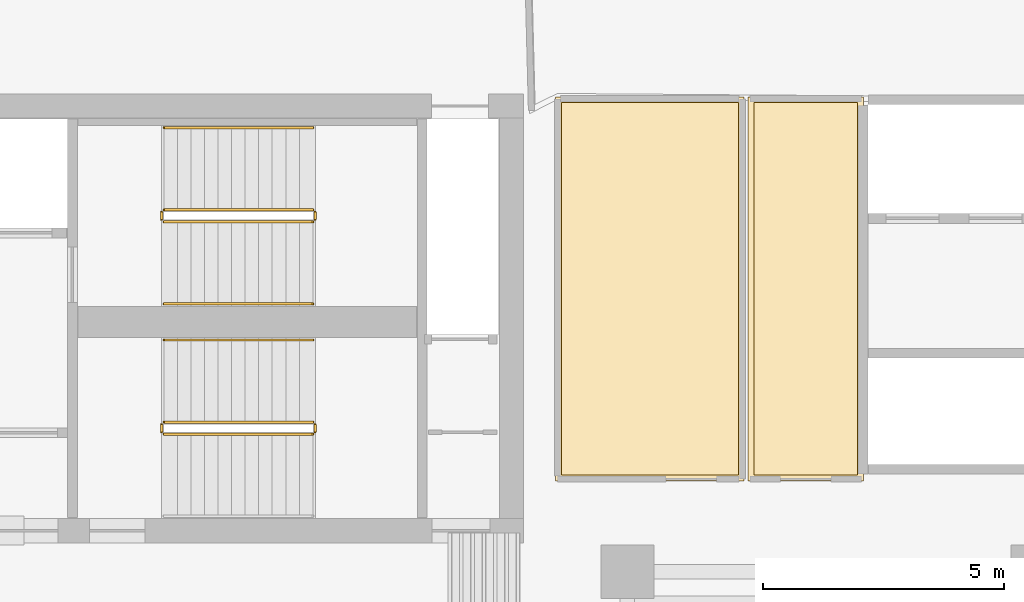
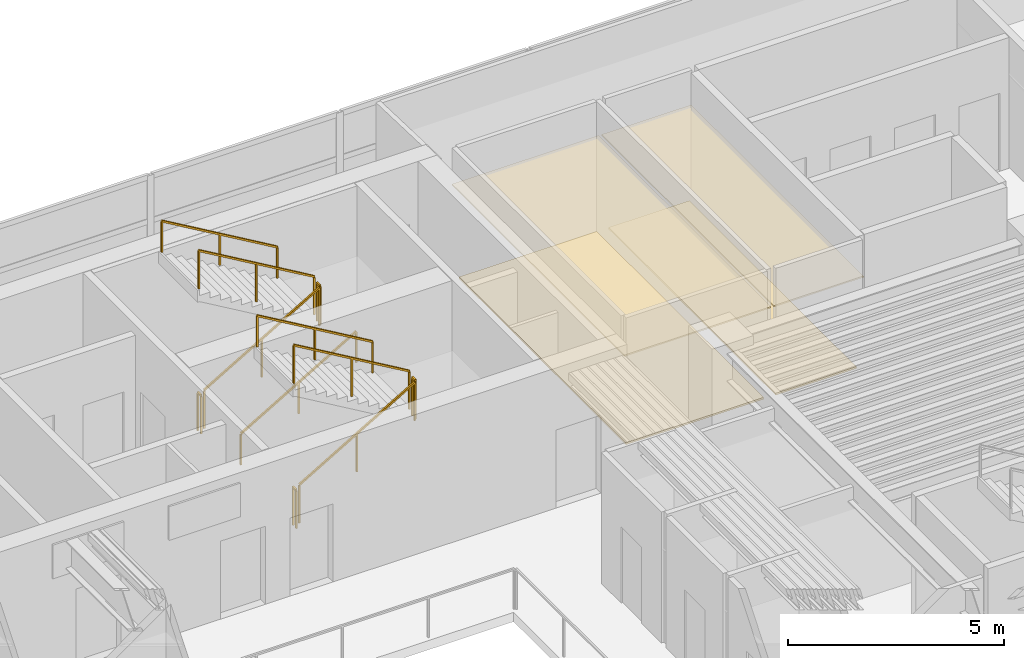
# One storey, part 12 of 13: 11 railings, 4 coverings.
"""IFC4 building model written with IfcOpenShell, lengths in metres."""

from ifc_helpers import new_model, si_unit, direction, frame, origin, origin_2d, place, context, subcontext, project, spatial, polyline, rectangle, outline, extrude, material, layer, layer_set, type_object, element, save


model = new_model("IFC4")

# Units and contexts
model_context = context("Model", 3, precision=1e-05, world=origin(), true_north=direction((0.0, 1.0)))
body_context = subcontext(model_context, "Body", "Model", "MODEL_VIEW")
ifc_project = project(units=[si_unit("LENGTHUNIT", "METRE"), si_unit("AREAUNIT", "SQUARE_METRE"), si_unit("VOLUMEUNIT", "CUBIC_METRE"), si_unit("PLANEANGLEUNIT", "RADIAN"), si_unit("MASSUNIT", "GRAM", prefix="KILO")], contexts=[model_context])

# Site, building, storey
site_placement = place(None, origin())
site = spatial("IfcSite", under=ifc_project, at=site_placement, CompositionType="ELEMENT")
building_placement = place(site_placement, origin())
building = spatial("IfcBuilding", under=site, at=building_placement, Name="Caeloran Harvest Quay", CompositionType="ELEMENT")
storey_placement = place(building_placement, frame((0.0, 0.0, 135.10009765625)))
storey = spatial("IfcBuildingStorey", under=building, at=storey_placement, Name="L31", CompositionType="ELEMENT", Elevation=135.10009765625)

# Coverings
ifc_material_1 = material(Name="Perforated Mineral-Fibre Acoustic Ceiling Tile", Category="ceiling")
ifc_layer_1 = layer(ifc_material_1, 0.0400390625, Name="Perforated Mineral-Fibre Acoustic Ceiling Tile")
ifc_layer_set_1 = layer_set([ifc_layer_1], Name="Perforated Mineral-Fibre Acoustic Ceiling Tile")
covering_type_1 = type_object("IfcCoveringType", Name="COV-CEILING-ACOUSTIC", PredefinedType="CEILING", material=ifc_layer_set_1)
covering_1_placement = place(storey_placement, frame((0.0, 0.0, 2.599853515625)))
element("IfcCovering", 1, at=covering_1_placement, inside=storey, type_object=covering_type_1, Name="L31 Crop Phenotyping West Laboratory Acoustic Ceiling", PredefinedType="CEILING", context=body_context, shape_type="SweptSolid", body=[
    extrude(outline(polyline([(27.919921875, 40.840087890625), (27.919921875, 32.8798828125), (24.010009765625, 32.8798828125), (24.010009765625, 40.840087890625), (27.919921875, 40.840087890625)])), origin(), (0.0, 0.0, 1.0), 0.0400390625),
])
covering_2_placement = place(storey_placement, frame((0.0, 0.0, 2.599853515625)))
element("IfcCovering", 2, at=covering_2_placement, inside=storey, type_object=covering_type_1, Name="L31 Genomics Sequencing East Studio Acoustic Ceiling", PredefinedType="CEILING", context=body_context, shape_type="SweptSolid", body=[
    extrude(outline(polyline([(30.389892578125, 40.840087890625), (30.389892578125, 32.8798828125), (28.0, 32.8798828125), (28.0, 40.840087890625), (30.389892578125, 40.840087890625)])), origin(), (0.0, 0.0, 1.0), 0.0400390625),
])
ifc_material_2 = material(Name="Calcium-Sulphate Raised Access Floor and Terrazzo Finish", Category="flooring")
ifc_layer_2 = layer(ifc_material_2, 0.050048828125, Name="Calcium-Sulphate Raised Access Floor and Terrazzo Finish")
ifc_layer_set_2 = layer_set([ifc_layer_2], Name="Calcium-Sulphate Raised Access Floor and Terrazzo Finish")
covering_type_2 = type_object("IfcCoveringType", Name="COV-FLOOR-RAISED", PredefinedType="FLOORING", material=ifc_layer_set_2)
covering_3_placement = place(storey_placement, origin())
element("IfcCovering", 3, at=covering_3_placement, inside=storey, type_object=covering_type_2, Name="L31 Crop Phenotyping West Laboratory Raised Finish Flooring", PredefinedType="FLOORING", context=body_context, shape_type="SweptSolid", body=[
    extrude(outline(polyline([(27.800048828125, 40.719970703125), (27.800048828125, 33.0), (24.1298828125, 33.0), (24.1298828125, 40.719970703125), (27.800048828125, 40.719970703125)])), origin(), (0.0, 0.0, 1.0), 0.0498046875),
])
covering_4_placement = place(storey_placement, origin())
element("IfcCovering", 4, at=covering_4_placement, inside=storey, type_object=covering_type_2, Name="L31 Genomics Sequencing East Studio Raised Finish Flooring", PredefinedType="FLOORING", context=body_context, shape_type="SweptSolid", body=[
    extrude(outline(polyline([(30.27001953125, 40.719970703125), (30.27001953125, 33.0), (28.1201171875, 33.0), (28.1201171875, 40.719970703125), (30.27001953125, 40.719970703125)])), origin(), (0.0, 0.0, 1.0), 0.0498046875),
])

# Railings
ifc_material_3 = material(Name="Painted Steel Baluster and Top-Rail Stair Guard", Category="steel")
ifc_layer_3 = layer(ifc_material_3, 0.050048828125, Name="Painted Steel Baluster and Top-Rail Stair Guard")
ifc_layer_set_3 = layer_set([ifc_layer_3], Name="Painted Steel Baluster and Top-Rail Stair Guard")
railing_type_1 = type_object("IfcRailingType", Name="STAIR-GUARD-1100", PredefinedType="GUARDRAIL", material=ifc_layer_set_3)
railing_1_placement = place(storey_placement, frame((15.89990234375, 38.25, 0.16455078125)))
element("IfcRailing", 5, at=railing_1_placement, inside=storey, type_object=railing_type_1, Name="L31 ST-C1 stair guard 1", PredefinedType="GUARDRAIL", context=body_context, shape_type="SweptSolid", body=[
    extrude(rectangle(XDim=0.048095703125, YDim=0.048095703125, at=origin_2d()), frame((0.0, 0.0, 1.076171875), z_axis=(0.862118610829, 0.0, 0.506706523406), x_axis=(0.0, 1.0, 0.0)), (0.0, 0.0, 1.0), 3.57275390625),
    extrude(rectangle(XDim=0.0419921875, YDim=0.0419921875, at=origin_2d()), origin(), (0.0, 0.0, 1.0), 1.052001953125),
    extrude(rectangle(XDim=0.0419921875, YDim=0.0419921875, at=origin_2d()), frame((1.5400390625, 0.0, 0.9052734375)), (0.0, 0.0, 1.0), 1.052001953125),
    extrude(rectangle(XDim=0.0419921875, YDim=0.0419921875, at=origin_2d()), frame((3.080078125, 0.0, 1.810302734375)), (0.0, 0.0, 1.0), 1.052001953125),
])
railing_2_placement = place(storey_placement, frame((19.030029296875, 38.300048828125, 1.974853515625)))
element("IfcRailing", 6, at=railing_2_placement, inside=storey, type_object=railing_type_1, Name="L31 ST-C1 stair guard 2", PredefinedType="GUARDRAIL", context=body_context, shape_type="SweptSolid", body=[
    extrude(rectangle(XDim=0.048095703125, YDim=0.048095703125, at=origin_2d()), frame((0.0, 0.0, 1.076171875), z_axis=(0.0, 1.0, 0.0), x_axis=(-1.0, 0.0, 0.0)), (0.0, 0.0, 1.0), 0.14990234375),
    extrude(rectangle(XDim=0.0419921875, YDim=0.0419921875, at=origin_2d()), origin(), (0.0, 0.0, 1.0), 1.052001953125),
    extrude(rectangle(XDim=0.0419921875, YDim=0.0419921875, at=origin_2d()), frame((0.0, 0.14990234375, 0.0)), (0.0, 0.0, 1.0), 1.052001953125),
])
railing_3_placement = place(storey_placement, frame((18.97998046875, 38.5, 2.139404296875)))
element("IfcRailing", 7, at=railing_3_placement, inside=storey, type_object=railing_type_1, Name="L31 ST-C1 stair guard 3", PredefinedType="GUARDRAIL", context=body_context, shape_type="SweptSolid", body=[
    extrude(rectangle(XDim=0.048095703125, YDim=0.048095703125, at=origin_2d()), frame((0.0, 0.0, 1.076171875), z_axis=(-0.862088758681, 0.0, 0.506757310905), x_axis=(0.0, -1.0, 0.0)), (0.0, 0.0, 1.0), 3.57275390625),
    extrude(rectangle(XDim=0.0419921875, YDim=0.0419921875, at=origin_2d()), origin(), (0.0, 0.0, 1.0), 1.052001953125),
    extrude(rectangle(XDim=0.0419921875, YDim=0.0419921875, at=origin_2d()), frame((-1.5400390625, 0.0, 0.9052734375)), (0.0, 0.0, 1.0), 1.052001953125),
    extrude(rectangle(XDim=0.0419921875, YDim=0.0419921875, at=origin_2d()), frame((-3.080078125, 0.0, 1.810546875)), (0.0, 0.0, 1.0), 1.052001953125),
])
railing_4_placement = place(storey_placement, frame((15.85009765625, 38.300048828125, 0.0)))
element("IfcRailing", 8, at=railing_4_placement, inside=storey, type_object=railing_type_1, Name="L31 ST-C1 stair guard 4", PredefinedType="GUARDRAIL", context=body_context, shape_type="SweptSolid", body=[
    extrude(rectangle(XDim=0.048095703125, YDim=0.048095703125, at=origin_2d()), frame((0.0, 0.0, 1.076171875), z_axis=(0.0, 1.0, 0.0), x_axis=(-1.0, 0.0, 0.0)), (0.0, 0.0, 1.0), 0.14990234375),
    extrude(rectangle(XDim=0.0419921875, YDim=0.0419921875, at=origin_2d()), origin(), (0.0, 0.0, 1.0), 1.052001953125),
    extrude(rectangle(XDim=0.0419921875, YDim=0.0419921875, at=origin_2d()), frame((0.0, 0.14990234375, 0.0)), (0.0, 0.0, 1.0), 1.052001953125),
])
railing_5_placement = place(storey_placement, frame((15.89990234375, 33.85009765625, 0.16455078125)))
element("IfcRailing", 9, at=railing_5_placement, inside=storey, type_object=railing_type_1, Name="L31 ST-C2 stair guard 1", PredefinedType="GUARDRAIL", context=body_context, shape_type="SweptSolid", body=[
    extrude(rectangle(XDim=0.048095703125, YDim=0.048095703125, at=origin_2d()), frame((0.0, 0.0, 1.076171875), z_axis=(0.862118610829, 0.0, 0.506706523406), x_axis=(0.0, 1.0, 0.0)), (0.0, 0.0, 1.0), 3.57275390625),
    extrude(rectangle(XDim=0.0419921875, YDim=0.0419921875, at=origin_2d()), origin(), (0.0, 0.0, 1.0), 1.052001953125),
    extrude(rectangle(XDim=0.0419921875, YDim=0.0419921875, at=origin_2d()), frame((1.5400390625, 0.0, 0.9052734375)), (0.0, 0.0, 1.0), 1.052001953125),
    extrude(rectangle(XDim=0.0419921875, YDim=0.0419921875, at=origin_2d()), frame((3.080078125, 0.0, 1.810302734375)), (0.0, 0.0, 1.0), 1.052001953125),
])
railing_6_placement = place(storey_placement, frame((19.030029296875, 33.89990234375, 1.974853515625)))
element("IfcRailing", 10, at=railing_6_placement, inside=storey, type_object=railing_type_1, Name="L31 ST-C2 stair guard 2", PredefinedType="GUARDRAIL", context=body_context, shape_type="SweptSolid", body=[
    extrude(rectangle(XDim=0.048095703125, YDim=0.048095703125, at=origin_2d()), frame((0.0, 0.0, 1.076171875), z_axis=(0.0, 1.0, 0.0), x_axis=(-1.0, 0.0, 0.0)), (0.0, 0.0, 1.0), 0.150146484375),
    extrude(rectangle(XDim=0.0419921875, YDim=0.0419921875, at=origin_2d()), origin(), (0.0, 0.0, 1.0), 1.052001953125),
    extrude(rectangle(XDim=0.0419921875, YDim=0.0419921875, at=origin_2d()), frame((0.0, 0.150146484375, 0.0)), (0.0, 0.0, 1.0), 1.052001953125),
])
railing_7_placement = place(storey_placement, frame((18.97998046875, 34.10009765625, 2.139404296875)))
element("IfcRailing", 11, at=railing_7_placement, inside=storey, type_object=railing_type_1, Name="L31 ST-C2 stair guard 3", PredefinedType="GUARDRAIL", context=body_context, shape_type="SweptSolid", body=[
    extrude(rectangle(XDim=0.048095703125, YDim=0.048095703125, at=origin_2d()), frame((0.0, 0.0, 1.076171875), z_axis=(-0.862088758681, 0.0, 0.506757310905), x_axis=(0.0, -1.0, 0.0)), (0.0, 0.0, 1.0), 3.57275390625),
    extrude(rectangle(XDim=0.0419921875, YDim=0.0419921875, at=origin_2d()), origin(), (0.0, 0.0, 1.0), 1.052001953125),
    extrude(rectangle(XDim=0.0419921875, YDim=0.0419921875, at=origin_2d()), frame((-1.5400390625, 0.0, 0.9052734375)), (0.0, 0.0, 1.0), 1.052001953125),
    extrude(rectangle(XDim=0.0419921875, YDim=0.0419921875, at=origin_2d()), frame((-3.080078125, 0.0, 1.810546875)), (0.0, 0.0, 1.0), 1.052001953125),
])
railing_8_placement = place(storey_placement, frame((15.85009765625, 33.89990234375, 0.0)))
element("IfcRailing", 12, at=railing_8_placement, inside=storey, type_object=railing_type_1, Name="L31 ST-C2 stair guard 4", PredefinedType="GUARDRAIL", context=body_context, shape_type="SweptSolid", body=[
    extrude(rectangle(XDim=0.048095703125, YDim=0.048095703125, at=origin_2d()), frame((0.0, 0.0, 1.076171875), z_axis=(0.0, 1.0, 0.0), x_axis=(-1.0, 0.0, 0.0)), (0.0, 0.0, 1.0), 0.150146484375),
    extrude(rectangle(XDim=0.0419921875, YDim=0.0419921875, at=origin_2d()), origin(), (0.0, 0.0, 1.0), 1.052001953125),
    extrude(rectangle(XDim=0.0419921875, YDim=0.0419921875, at=origin_2d()), frame((0.0, 0.150146484375, 0.0)), (0.0, 0.0, 1.0), 1.052001953125),
])
ifc_material_4 = material(Name="Brushed Stainless Steel Grade 304", Category="steel")
ifc_layer_4 = layer(ifc_material_4, 0.050048828125, Name="Brushed Stainless Steel Grade 304")
ifc_layer_set_4 = layer_set([ifc_layer_4], Name="Brushed Stainless Steel Grade 304")
railing_type_2 = type_object("IfcRailingType", Name="STAIR-HANDRAIL-900", PredefinedType="HANDRAIL", material=ifc_layer_set_4)
railing_9_placement = place(storey_placement, frame((15.89990234375, 36.550048828125, 0.16455078125)))
element("IfcRailing", 13, at=railing_9_placement, inside=storey, type_object=railing_type_2, Name="L31 ST-C1 stair handrail 1", PredefinedType="HANDRAIL", context=body_context, shape_type="SweptSolid", body=[
    extrude(rectangle(XDim=0.048095703125, YDim=0.048095703125, at=origin_2d()), frame((0.0, 0.0, 0.8759765625), z_axis=(0.862118610829, 0.0, 0.506706523406), x_axis=(0.0, 1.0, 0.0)), (0.0, 0.0, 1.0), 3.57275390625),
    extrude(rectangle(XDim=0.0419921875, YDim=0.0419921875, at=origin_2d()), origin(), (0.0, 0.0, 1.0), 0.851806640625),
    extrude(rectangle(XDim=0.0419921875, YDim=0.0419921875, at=origin_2d()), frame((1.5400390625, 0.0, 0.9052734375)), (0.0, 0.0, 1.0), 0.851806640625),
    extrude(rectangle(XDim=0.0419921875, YDim=0.0419921875, at=origin_2d()), frame((3.080078125, 0.0, 1.810302734375)), (0.0, 0.0, 1.0), 0.851806640625),
])
for number, where, name in (
    (14, (18.97998046875, 40.199951171875, 2.139404296875), "L31 ST-C1 stair handrail 2"),
    (15, (18.97998046875, 35.800048828125, 2.139404296875), "L31 ST-C2 stair handrail 2"),
):
    element("IfcRailing", number, at=place(storey_placement, frame(where)), inside=storey, type_object=railing_type_2, Name=name, PredefinedType="HANDRAIL", context=body_context, shape_type="SweptSolid", body=[
        extrude(rectangle(XDim=0.048095703125, YDim=0.048095703125, at=origin_2d()), frame((0.0, 0.0, 0.8759765625), z_axis=(-0.862088758681, 0.0, 0.506757310905), x_axis=(0.0, -1.0, 0.0)), (0.0, 0.0, 1.0), 3.57275390625),
        extrude(rectangle(XDim=0.0419921875, YDim=0.0419921875, at=origin_2d()), origin(), (0.0, 0.0, 1.0), 0.851806640625),
        extrude(rectangle(XDim=0.0419921875, YDim=0.0419921875, at=origin_2d()), frame((-1.5400390625, 0.0, 0.9052734375)), (0.0, 0.0, 1.0), 0.851806640625),
        extrude(rectangle(XDim=0.0419921875, YDim=0.0419921875, at=origin_2d()), frame((-3.080078125, 0.0, 1.810546875)), (0.0, 0.0, 1.0), 0.851806640625),
    ])

save(model, "model.ifc")
